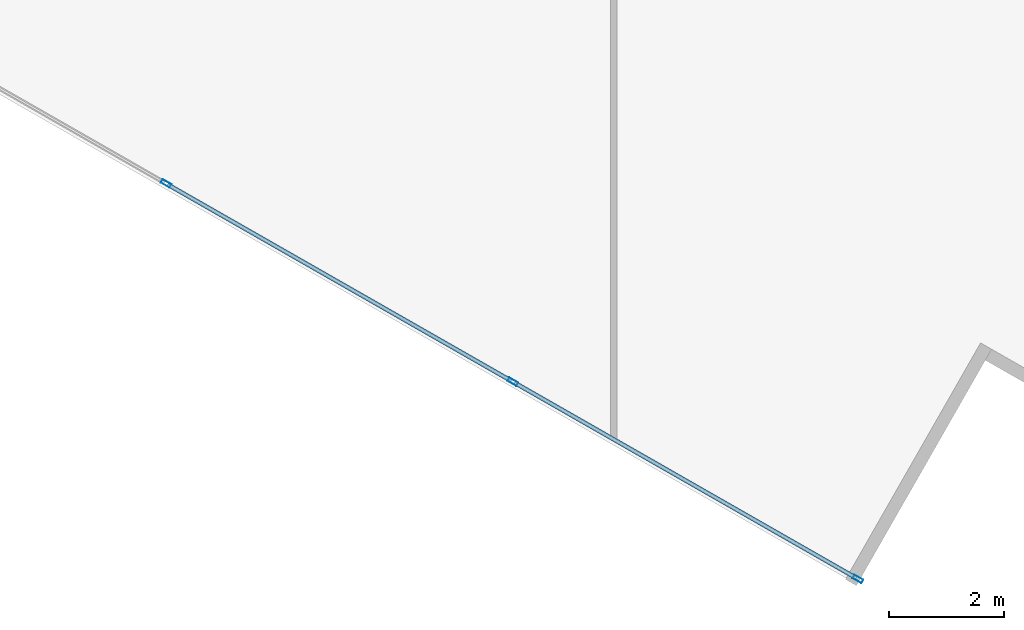
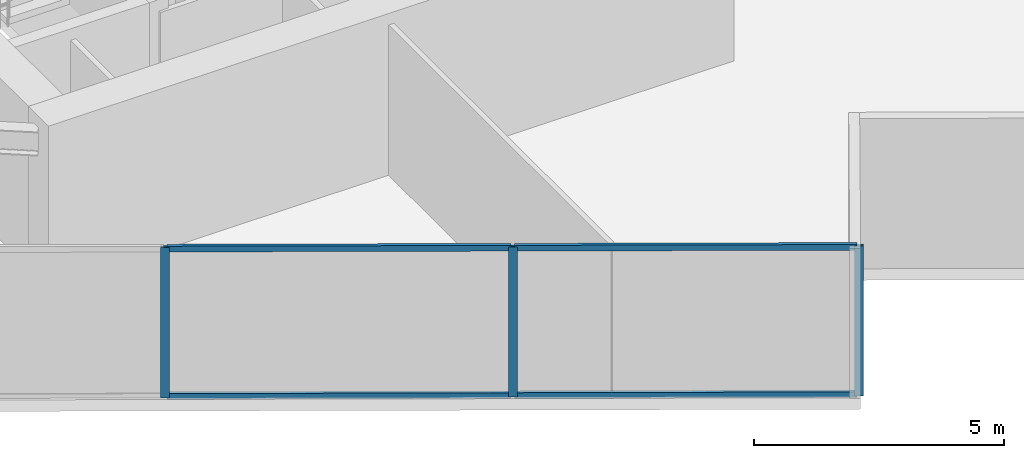
# One storey, part 3 of 24: 7 members, 1 element without a shape of its own.
"""IFC4 building model written with IfcOpenShell, lengths in metres."""

import ifcopenshell
import ifcopenshell.guid

model = None  # the IFC model being written
_history = None  # IfcOwnerHistory: only IFC2X3 demands one
_inside = {}  # id of a spatial element -> (the spatial element, [elements in it])
_under = {}  # id of a project, library or spatial element -> (it, [spatial elements below it])
_declared = {}  # id of a project -> (the project, [libraries it declares])
_typed = {}  # id of a type object -> (the type object, [elements of that type])
_made_of = {}  # id of a material, layer set ... -> (it, [elements and type objects made of it])


def new_model(schema):
    """Start an empty IFC model of exactly this schema.

    Asked for "IFC4X3", IfcOpenShell would pick the latest addendum, in which some entities
    have other attributes; the version numbers below select the first issue.
    IFC2X3 requires an IfcOwnerHistory on every rooted entity: one is made here for all.
    """
    global model, _history
    if schema == "IFC4X3":
        model = ifcopenshell.file(schema_version=(4, 3, 0, 0))
    else:
        model = ifcopenshell.file(schema=schema)
    _inside.clear()
    _under.clear()
    _declared.clear()
    _typed.clear()
    _made_of.clear()
    _history = None
    if model.schema == "IFC2X3":
        org = make("IfcOrganization", Name="unknown")
        user = make(
            "IfcPersonAndOrganization",
            ThePerson=make("IfcPerson", FamilyName="unknown"),
            TheOrganization=org,
        )
        app = make(
            "IfcApplication",
            ApplicationDeveloper=org,
            Version="unknown",
            ApplicationFullName="unknown",
            ApplicationIdentifier="unknown",
        )
        _history = make(
            "IfcOwnerHistory",
            OwningUser=user,
            OwningApplication=app,
            ChangeAction="ADDED",
            CreationDate=0,
        )
    return model


def make(cls, **values):
    """One entity of the class cls with the attributes given. An attribute that is None is left unset."""
    return model.create_entity(
        cls, **{name: value for name, value in values.items() if value is not None}
    )


def rooted(cls, **values):
    """An entity with a GlobalId (a new one), such as an element, a storey or a relation."""
    return make(cls, GlobalId=ifcopenshell.guid.new(), OwnerHistory=_history, **values)


def si_unit(unit_type, name, prefix=None):
    """IfcSIUnit, for example si_unit("LENGTHUNIT", "METRE", prefix="MILLI")."""
    return make("IfcSIUnit", UnitType=unit_type, Prefix=prefix, Name=name)


def assignment(units):
    """IfcUnitAssignment: the units of a project."""
    return None if units is None else make("IfcUnitAssignment", Units=units)


def point(xyz):
    """IfcCartesianPoint."""
    return None if xyz is None else make("IfcCartesianPoint", Coordinates=xyz)


def direction(xyz):
    """IfcDirection."""
    return None if xyz is None else make("IfcDirection", DirectionRatios=xyz)


def frame(location, z_axis=None, x_axis=None):
    """IfcAxis2Placement3D, a coordinate frame: its origin and axes. An axis left out is left unset."""
    return make(
        "IfcAxis2Placement3D",
        Location=point(location),
        Axis=direction(z_axis),
        RefDirection=direction(x_axis),
    )


def frame_2d(location, x_axis=None):
    """IfcAxis2Placement2D, a coordinate frame in the plane: its origin and x axis."""
    return make(
        "IfcAxis2Placement2D", Location=point(location), RefDirection=direction(x_axis)
    )


def origin():
    """The frame at (0, 0, 0) with its axes left unset."""
    return frame((0.0, 0.0, 0.0))


def origin_2d():
    """The frame at (0, 0) in the plane with its x axis left unset."""
    return frame_2d((0.0, 0.0))


def place(relative_to, where):
    """IfcLocalPlacement: puts the frame where relative to a parent placement (None: the world)."""
    return make(
        "IfcLocalPlacement", PlacementRelTo=relative_to, RelativePlacement=where
    )


def context(
    kind, dimensions, precision=None, world=None, true_north=None, identifier=None
):
    """IfcGeometricRepresentationContext, for example the 3D "Model" context."""
    return make(
        "IfcGeometricRepresentationContext",
        ContextIdentifier=identifier,
        ContextType=kind,
        CoordinateSpaceDimension=dimensions,
        Precision=precision,
        WorldCoordinateSystem=world,
        TrueNorth=true_north,
    )


def subcontext(parent, identifier, kind, view, scale=None):
    """IfcGeometricRepresentationSubContext, for example "Body" below "Model"."""
    return make(
        "IfcGeometricRepresentationSubContext",
        ContextIdentifier=identifier,
        ContextType=kind,
        ParentContext=parent,
        TargetScale=scale,
        TargetView=view,
    )


def project(units=None, contexts=None):
    """IfcProject with its units and contexts."""
    return rooted(
        "IfcProject",
        Name="project",
        RepresentationContexts=contexts,
        UnitsInContext=assignment(units),
    )


def spatial(cls, under=None, at=None, **own):
    """A site, building, storey or space (cls), placed at a placement, below another one or the project."""
    s = rooted(cls, ObjectPlacement=at, **own)
    if under is not None:
        _under.setdefault(under.id(), (under, []))[1].append(s)
    return s


def profile(cls, at=None, kind="AREA", **sizes):
    """A parametric profile (cls). Its sizes go by their IFC names, for example OverallWidth=200.0."""
    return make(cls, ProfileType=kind, Position=at, **sizes)


def hollow_rectangle(**sizes):
    """IfcRectangleHollowProfileDef."""
    return profile("IfcRectangleHollowProfileDef", **sizes)


def extrude(swept, where, along, depth):
    """IfcExtrudedAreaSolid: the profile swept, set in the frame where, extruded along a direction by depth."""
    return make(
        "IfcExtrudedAreaSolid",
        SweptArea=swept,
        Position=where,
        ExtrudedDirection=direction(along),
        Depth=depth,
    )


def shape(context_of_items, identifier, shape_type, items):
    """IfcShapeRepresentation: the items that make up one representation, for example the "Body"."""
    return make(
        "IfcShapeRepresentation",
        ContextOfItems=context_of_items,
        RepresentationIdentifier=identifier,
        RepresentationType=shape_type,
        Items=items,
    )


def source(mapping_origin, context_of_items, identifier, shape_type, items):
    """IfcRepresentationMap: a shape defined once, which mapped items show again and again."""
    return make(
        "IfcRepresentationMap",
        MappingOrigin=mapping_origin,
        MappedRepresentation=shape(context_of_items, identifier, shape_type, items),
    )


def transform(
    local_origin,
    x_axis=None,
    y_axis=None,
    z_axis=None,
    scale=None,
    scale2=None,
    scale3=None,
    uniform=True,
):
    """IfcCartesianTransformationOperator3D, or its non-uniform kind. x_axis, y_axis, z_axis: its Axis1, 2, 3."""
    if uniform:
        return make(
            "IfcCartesianTransformationOperator3D",
            Axis1=direction(x_axis),
            Axis2=direction(y_axis),
            LocalOrigin=point(local_origin),
            Scale=scale,
            Axis3=direction(z_axis),
        )
    return make(
        "IfcCartesianTransformationOperator3DnonUniform",
        Axis1=direction(x_axis),
        Axis2=direction(y_axis),
        LocalOrigin=point(local_origin),
        Scale=scale,
        Axis3=direction(z_axis),
        Scale2=scale2,
        Scale3=scale3,
    )


def mapped(mapping_source, mapping_target):
    """IfcMappedItem: shows the shape of a source again, moved by a transform."""
    return make(
        "IfcMappedItem", MappingSource=mapping_source, MappingTarget=mapping_target
    )


def material(Name=None, Category=None):
    """IfcMaterial."""
    return make("IfcMaterial", Name=Name, Category=Category)


def material_profile(
    of_material, cross_section, Name=None, Category=None, Priority=None
):
    """IfcMaterialProfile: a cross section and its material."""
    return make(
        "IfcMaterialProfile",
        Name=Name,
        Material=of_material,
        Profile=cross_section,
        Priority=Priority,
        Category=Category,
    )


def profile_set(profiles, Name=None, composite=None):
    """IfcMaterialProfileSet."""
    return make(
        "IfcMaterialProfileSet",
        Name=Name,
        MaterialProfiles=profiles,
        CompositeProfile=composite,
    )


def made_of(thing, what):
    """Note that an element or type object is made of a material, layer set ...; save() writes the relation."""
    if what is not None:
        _made_of.setdefault(what.id(), (what, []))[1].append(thing)
    return thing


def type_object(cls, material=None, **own):
    """A type object (cls), such as IfcWallType, which elements share."""
    return made_of(rooted(cls, **own), material)


def type_shapes(of_type, sources):
    """Give a type object the sources (RepresentationMaps) that its elements show as mapped items."""
    of_type.RepresentationMaps = sources


def element(
    cls,
    number,
    at=None,
    inside=None,
    cuts=None,
    type_object=None,
    material=None,
    context=None,
    identifier="Body",
    shape_type=None,
    held_by="IfcProductDefinitionShape",
    body=None,
    shapes=None,
    **own,
):
    """One element of the class cls, such as IfcWall. Its Tag is "e" and its number.

    at: its placement. inside: the storey or other place that contains it. cuts: it is an
    opening in that element (IfcRelVoidsElement). A single representation is given by context,
    identifier, shape_type and body (its items); several are given by shapes. held_by: the class
    of the entity that holds the representations. save() writes the other relations.
    """
    e = rooted(cls, Tag="e%d" % number, ObjectPlacement=at, **own)
    if body is not None:
        shapes = [shape(context, identifier, shape_type, body)]
    if shapes is not None:
        e.Representation = make(held_by, Representations=shapes)
    if inside is not None:
        _inside.setdefault(inside.id(), (inside, []))[1].append(e)
    if cuts is not None:
        rooted(
            "IfcRelVoidsElement", RelatingBuildingElement=cuts, RelatedOpeningElement=e
        )
    if type_object is not None:
        _typed.setdefault(type_object.id(), (type_object, []))[1].append(e)
    return made_of(e, material)


def aggregate(whole, parts):
    """IfcRelAggregates: a whole, such as a stair, and the parts it consists of."""
    return rooted("IfcRelAggregates", RelatingObject=whole, RelatedObjects=parts)


def save(model, path):
    """Write the relations noted so far, then the file.

    IfcRelAggregates (storeys below a building ...), IfcRelContainedInSpatialStructure (elements
    in a storey), IfcRelDefinesByType, IfcRelAssociatesMaterial and IfcRelDeclares: one each for
    every whole, place, type object, material and project.
    """
    for whole, parts in _under.values():
        aggregate(whole, parts)
    for where, things in _inside.values():
        rooted(
            "IfcRelContainedInSpatialStructure",
            RelatedElements=things,
            RelatingStructure=where,
        )
    for kind, things in _typed.values():
        rooted("IfcRelDefinesByType", RelatedObjects=things, RelatingType=kind)
    for what, things in _made_of.values():
        rooted("IfcRelAssociatesMaterial", RelatedObjects=things, RelatingMaterial=what)
    for by, libraries in _declared.values():
        rooted("IfcRelDeclares", RelatingContext=by, RelatedDefinitions=libraries)
    model.write(path)


model = new_model("IFC4")

# Units and contexts
model_context = context("Model", 3, precision=1e-05, world=origin(), true_north=direction((0.0, 1.0)))
body_context = subcontext(model_context, "Body", "Model", "MODEL_VIEW")
ifc_project = project(units=[si_unit("LENGTHUNIT", "METRE"), si_unit("AREAUNIT", "SQUARE_METRE"), si_unit("VOLUMEUNIT", "CUBIC_METRE"), si_unit("PLANEANGLEUNIT", "RADIAN"), si_unit("MASSUNIT", "GRAM", prefix="KILO")], contexts=[model_context])

# Site, building, storey
site_placement = place(None, origin())
site = spatial("IfcSite", under=ifc_project, at=site_placement, CompositionType="ELEMENT")
building_placement = place(site_placement, origin())
building = spatial("IfcBuilding", under=site, at=building_placement, Name="Krantzveldt Concourse Tower", CompositionType="ELEMENT")
storey_placement = place(building_placement, frame((0.0, 0.0, 165.949951171875)))
storey = spatial("IfcBuildingStorey", under=building, at=storey_placement, Name="L40", CompositionType="ELEMENT", Elevation=165.949951171875)

# Curtain wall, members
ifc_material = material(Name="Anodised aluminium 6063-T6", Category="aluminium")
curtain_wall_type = type_object("IfcCurtainWallType", Name="CW3", PredefinedType="USERDEFINED", material=ifc_material)
curtain_wall_placement = place(storey_placement, origin())
curtain_wall = element("IfcCurtainWall", 1, at=curtain_wall_placement, inside=storey, type_object=curtain_wall_type, Name="CW-L40-F08", ObjectType="UNITISED CURTAIN WALL", PredefinedType="USERDEFINED")
ifc_material_profile_1 = material_profile(ifc_material, hollow_rectangle(XDim=0.070068359375, YDim=0.179931640625, WallThickness=0.0048828125, at=origin_2d()), Name="Anodised aluminium 6063-T6", Category="aluminium")
ifc_profile_set_1 = profile_set([ifc_material_profile_1], Name="Anodised aluminium 6063-T6 - ALU-MULL 180x70x5")
member_type_1 = type_object("IfcMemberType", Name="CW-MUL-180", PredefinedType="MULLION", material=ifc_profile_set_1)
shared_shape_1 = source(origin(), body_context, "Body", "SweptSolid", [
    extrude(hollow_rectangle(XDim=0.070068359375, YDim=0.179931640625, WallThickness=0.0048828125, at=origin_2d()), origin(), (0.0, 0.0, 1.0), 3.670166015625),
])
type_shapes(member_type_1, [shared_shape_1])
member_1_placement = place(storey_placement, frame((28.19873046875, 6.037841796875, 0.0), z_axis=(0.0, 0.0, 1.0), x_axis=(0.496216394392, 0.868198876949, 0.0)))
member_1 = element("IfcMember", 2, at=member_1_placement, type_object=member_type_1, Name="CW-Z34 mullion 4", PredefinedType="MULLION", context=body_context, shape_type="MappedRepresentation", body=[
    mapped(shared_shape_1, transform((0.0, 0.0, 0.0), x_axis=(1.0, 0.0, 0.0), y_axis=(0.0, 1.0, 0.0), z_axis=(0.0, 0.0, 1.0), scale=1.0)),
])
member_2_placement = place(storey_placement, frame((34.241455078125, 2.583984375, 0.0), z_axis=(0.0, 0.0, 1.0), x_axis=(0.496216394392, 0.868198876949, 0.0)))
member_2 = element("IfcMember", 3, at=member_2_placement, type_object=member_type_1, Name="CW-Z34 mullion 5", PredefinedType="MULLION", context=body_context, shape_type="MappedRepresentation", body=[
    mapped(shared_shape_1, transform((0.0, 0.0, 0.0), x_axis=(1.0, 0.0, 0.0), y_axis=(0.0, 1.0, 0.0), z_axis=(0.0, 0.0, 1.0), scale=1.0)),
])
member_3_placement = place(storey_placement, frame((40.25390625, -0.852294921875, 0.0), z_axis=(0.0, 0.0, 1.0), x_axis=(0.496216394392, 0.868198876949, 0.0)))
member_3 = element("IfcMember", 4, at=member_3_placement, type_object=member_type_1, Name="CW-Z34 mullion 6", PredefinedType="MULLION", context=body_context, shape_type="MappedRepresentation", body=[
    mapped(shared_shape_1, transform((0.0, 0.0, 0.0), x_axis=(1.0, 0.0, 0.0), y_axis=(0.0, 1.0, 0.0), z_axis=(0.0, 0.0, 1.0), scale=1.0)),
])
ifc_material_profile_2 = material_profile(ifc_material, hollow_rectangle(XDim=0.070068359375, YDim=0.139892578125, WallThickness=0.0048828125, at=origin_2d()), Name="Anodised aluminium 6063-T6", Category="aluminium")
ifc_profile_set_2 = profile_set([ifc_material_profile_2], Name="Anodised aluminium 6063-T6 - ALU-TRAN 140x70x5")
member_type_2 = type_object("IfcMemberType", Name="CW-TRN-150", PredefinedType="USERDEFINED", material=ifc_profile_set_2)
shared_shape_2 = source(origin(), body_context, "Body", "SweptSolid", [
    extrude(hollow_rectangle(XDim=0.070068359375, YDim=0.139892578125, WallThickness=0.0048828125, at=origin_2d()), origin(), (0.0, 0.0, 1.0), 6.85498046875),
])
member_4_placement = place(storey_placement, frame((34.27197265625, 2.566650390625, 0.03515625), z_axis=(0.868192728379, -0.496227152008, 0.0), x_axis=(0.496227152008, 0.868192728379, 0.0)))
member_4 = element("IfcMember", 5, at=member_4_placement, type_object=member_type_2, Name="CW-Z34 transom 5.1", ObjectType="TRANSOM", PredefinedType="USERDEFINED", context=body_context, shape_type="MappedRepresentation", body=[
    mapped(shared_shape_2, transform((0.0, 0.0, 0.0), x_axis=(1.0, 0.0, 0.0), y_axis=(0.0, 1.0, 0.0), z_axis=(0.0, 0.0, 1.0), scale=1.0)),
])
member_5_placement = place(storey_placement, frame((34.27197265625, 2.566650390625, 3.635009765625), z_axis=(0.868192728379, -0.496227152008, 0.0), x_axis=(0.496227152008, 0.868192728379, 0.0)))
member_5 = element("IfcMember", 6, at=member_5_placement, type_object=member_type_2, Name="CW-Z34 transom 5.2", ObjectType="TRANSOM", PredefinedType="USERDEFINED", context=body_context, shape_type="MappedRepresentation", body=[
    mapped(shared_shape_2, transform((0.0, 0.0, 0.0), x_axis=(1.0, 0.0, 0.0), y_axis=(0.0, 1.0, 0.0), z_axis=(0.0, 0.0, 1.0), scale=1.0)),
])
shared_shape_3 = source(origin(), body_context, "Body", "SweptSolid", [
    extrude(hollow_rectangle(XDim=0.070068359375, YDim=0.139892578125, WallThickness=0.0048828125, at=origin_2d()), origin(), (0.0, 0.0, 1.0), 6.889892578125),
])
type_shapes(member_type_2, [shared_shape_2, shared_shape_3])
member_6_placement = place(storey_placement, frame((28.229248046875, 6.020263671875, 0.03515625), z_axis=(0.868214793151, -0.496188545771, 0.0), x_axis=(0.496188545771, 0.868214793151, 0.0)))
member_6 = element("IfcMember", 7, at=member_6_placement, type_object=member_type_2, Name="CW-Z34 transom 4.1", ObjectType="TRANSOM", PredefinedType="USERDEFINED", context=body_context, shape_type="MappedRepresentation", body=[
    mapped(shared_shape_3, transform((0.0, 0.0, 0.0), x_axis=(1.0, 0.0, 0.0), y_axis=(0.0, 1.0, 0.0), z_axis=(0.0, 0.0, 1.0), scale=1.0)),
])
member_7_placement = place(storey_placement, frame((28.229248046875, 6.020263671875, 3.635009765625), z_axis=(0.868214793151, -0.496188545771, 0.0), x_axis=(0.496188545771, 0.868214793151, 0.0)))
member_7 = element("IfcMember", 8, at=member_7_placement, type_object=member_type_2, Name="CW-Z34 transom 4.2", ObjectType="TRANSOM", PredefinedType="USERDEFINED", context=body_context, shape_type="MappedRepresentation", body=[
    mapped(shared_shape_3, transform((0.0, 0.0, 0.0), x_axis=(1.0, 0.0, 0.0), y_axis=(0.0, 1.0, 0.0), z_axis=(0.0, 0.0, 1.0), scale=1.0)),
])
aggregate(curtain_wall, [member_1, member_2, member_3, member_6, member_7, member_4, member_5])

save(model, "model.ifc")
